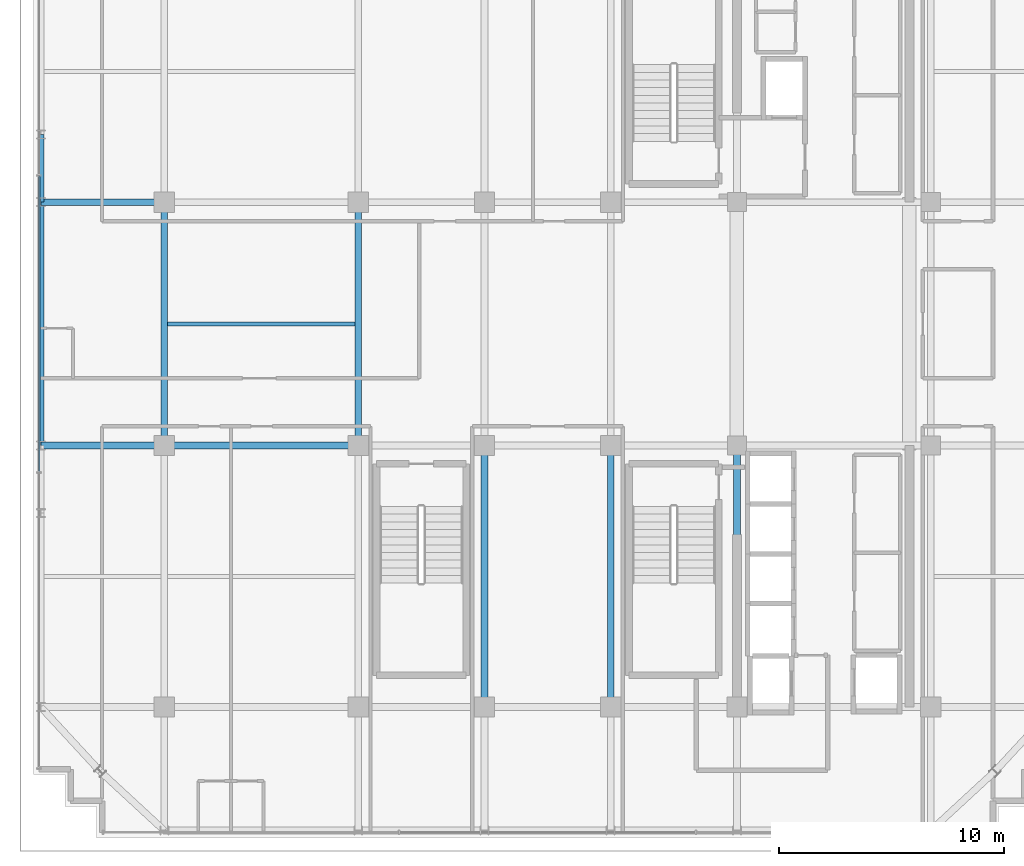
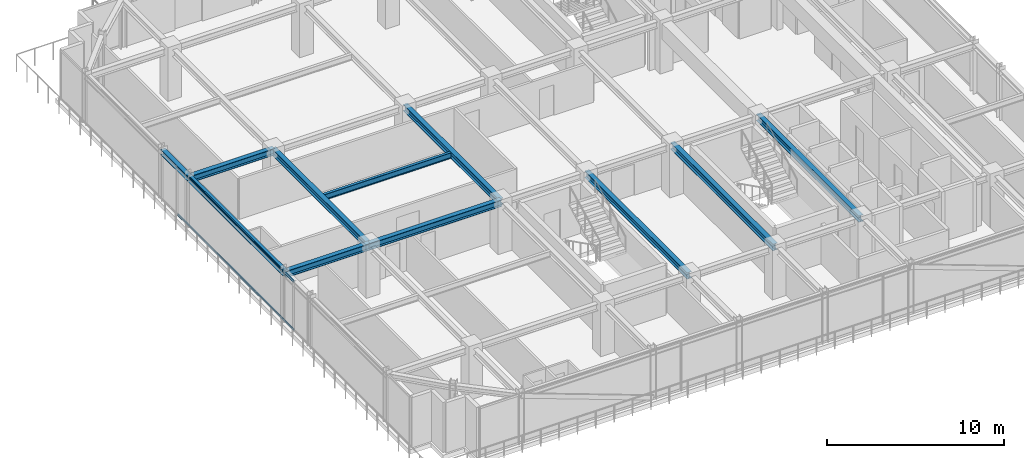
# One storey, part 9 of 32: 11 beams, 2 members, 1 element without a shape of its own.
"""IFC4 building model written with IfcOpenShell, lengths in metres."""

from ifc_helpers import new_model, si_unit, direction, frame, origin, origin_2d, place, context, subcontext, project, spatial, hollow_rectangle, i_section, extrude, source, transform, mapped, material, material_profile, profile_set, type_object, element, aggregate, save


model = new_model("IFC4")

# Units and contexts
model_context = context("Model", 3, precision=1e-05, world=origin(), true_north=direction((0.0, 1.0)))
body_context = subcontext(model_context, "Body", "Model", "MODEL_VIEW")
ifc_project = project(units=[si_unit("LENGTHUNIT", "METRE"), si_unit("AREAUNIT", "SQUARE_METRE"), si_unit("VOLUMEUNIT", "CUBIC_METRE"), si_unit("PLANEANGLEUNIT", "RADIAN"), si_unit("MASSUNIT", "GRAM", prefix="KILO")], contexts=[model_context])

# Site, building, storey
site_placement = place(None, origin())
site = spatial("IfcSite", under=ifc_project, at=site_placement, CompositionType="ELEMENT")
building_placement = place(site_placement, origin())
building = spatial("IfcBuilding", under=site, at=building_placement, Name="Nahalor Promenade Grand Hotel", CompositionType="ELEMENT")
storey_placement = place(building_placement, frame((0.0, 0.0, 266.300048828125)))
storey = spatial("IfcBuildingStorey", under=building, at=storey_placement, Name="L68", CompositionType="ELEMENT", Elevation=266.300048828125)

# Beams
ifc_material_1 = material(Name="Steel S355JR", Category="steel")
ifc_material_profile_1 = material_profile(ifc_material_1, i_section(OverallWidth=0.3, OverallDepth=0.45, WebThickness=0.014, FlangeThickness=0.026, at=origin_2d()), Name="HEB 450")
ifc_profile_set_1 = profile_set([ifc_material_profile_1], Name="Steel S355JR")
beam_type_1 = type_object("IfcBeamType", Name="Beam-Girder-HEB450", PredefinedType="BEAM", material=ifc_profile_set_1)
shared_shape_1 = source(origin(), body_context, "Body", "SweptSolid", [
    extrude(i_section(OverallWidth=0.3, OverallDepth=0.45, WebThickness=0.014, FlangeThickness=0.026, at=origin_2d()), origin(), (0.0, 0.0, 1.0), 8.60009765625),
])
beam_1_placement = place(storey_placement, frame((-17.0, -5.39990234375, 3.224853515625), z_axis=(1.0, 0.0, 0.0), x_axis=(0.0, 1.0, 0.0)))
element("IfcBeam", 1, at=beam_1_placement, inside=storey, type_object=beam_type_1, Name="BM-L68-GX-1-1", PredefinedType="BEAM", context=body_context, shape_type="MappedRepresentation", body=[
    mapped(shared_shape_1, transform((0.0, 0.0, 0.0), scale=1.0)),
])
shared_shape_2 = source(origin(), body_context, "Body", "SweptSolid", [
    extrude(i_section(OverallWidth=0.3, OverallDepth=0.45, WebThickness=0.014, FlangeThickness=0.026, at=origin_2d()), origin(), (0.0, 0.0, 1.0), 11.60009765625),
])
for number, where, z_axis, x_axis, name in (
    (2, (-2.800048828125, -17.0, 3.224853515625), (0.0, 1.0, 0.0), (-1.0, 0.0, 0.0), "BM-L68-GY-2-1"),
    (3, (2.800048828125, -17.0, 3.224853515625), (0.0, 1.0, 0.0), (-1.0, 0.0, 0.0), "BM-L68-GY-3-1"),
    (4, (8.39990234375, -17.0, 3.224853515625), (0.0, 1.0, 0.0), (-1.0, 0.0, 0.0), "BM-L68-GY-4-1"),
):
    element("IfcBeam", number, at=place(storey_placement, frame(where, z_axis=z_axis, x_axis=x_axis)), inside=storey, type_object=beam_type_1, Name=name, PredefinedType="BEAM", context=body_context, shape_type="MappedRepresentation", body=[
        mapped(shared_shape_2, transform((0.0, 0.0, 0.0), scale=1.0)),
    ])
shared_shape_3 = source(origin(), body_context, "Body", "SweptSolid", [
    extrude(i_section(OverallWidth=0.3, OverallDepth=0.45, WebThickness=0.014, FlangeThickness=0.026, at=origin_2d()), origin(), (0.0, 0.0, 1.0), 10.7998046875),
])
for number, where, z_axis, x_axis, name in (
    (5, (-17.0, -5.39990234375, 3.224853515625), (0.0, 1.0, 0.0), (-1.0, 0.0, 0.0), "BM-L68-GY-0-2"),
    (6, (-8.39990234375, -5.39990234375, 3.224853515625), (0.0, 1.0, 0.0), (-1.0, 0.0, 0.0), "BM-L68-GY-1-2"),
):
    element("IfcBeam", number, at=place(storey_placement, frame(where, z_axis=z_axis, x_axis=x_axis)), inside=storey, type_object=beam_type_1, Name=name, PredefinedType="BEAM", context=body_context, shape_type="MappedRepresentation", body=[
        mapped(shared_shape_3, transform((0.0, 0.0, 0.0), scale=1.0)),
    ])
ifc_material_profile_2 = material_profile(ifc_material_1, i_section(OverallWidth=0.18, OverallDepth=0.4, WebThickness=0.0086, FlangeThickness=0.0135, at=origin_2d()), Name="IPE 400")
ifc_profile_set_2 = profile_set([ifc_material_profile_2], Name="Steel S355JR")
beam_type_2 = type_object("IfcBeamType", Name="Beam-Joist-IPE400", PredefinedType="JOIST", material=ifc_profile_set_2)
shared_shape_4 = source(origin(), body_context, "Body", "SweptSolid", [
    extrude(i_section(OverallWidth=0.18, OverallDepth=0.4, WebThickness=0.0086, FlangeThickness=0.0135, at=origin_2d()), origin(), (0.0, 0.0, 1.0), 8.300048828125),
])
beam_2_placement = place(storey_placement, frame((-16.85009765625, 0.0, 3.25), z_axis=(1.0, 0.0, 0.0), x_axis=(0.0, 1.0, 0.0)))
element("IfcBeam", 7, at=beam_2_placement, inside=storey, type_object=beam_type_2, Name="BM-L68-JSC-0", PredefinedType="JOIST", context=body_context, shape_type="MappedRepresentation", body=[
    mapped(shared_shape_4, transform((0.0, 0.0, 0.0), scale=1.0)),
])
shared_shape_5 = source(origin(), body_context, "Body", "SweptSolid", [
    extrude(i_section(OverallWidth=0.3, OverallDepth=0.45, WebThickness=0.014, FlangeThickness=0.026, at=origin_2d()), origin(), (0.0, 0.0, 1.0), 5.47998046875),
])
for number, where, z_axis, x_axis, name in (
    (8, (-22.47998046875, -5.39990234375, 3.224853515625), (1.0, 0.0, 0.0), (0.0, 1.0, 0.0), "BM-L68-GX-1-0"),
    (9, (-22.47998046875, 5.39990234375, 3.224853515625), (1.0, 0.0, 0.0), (0.0, 1.0, 0.0), "BM-L68-GX-2-0"),
):
    element("IfcBeam", number, at=place(storey_placement, frame(where, z_axis=z_axis, x_axis=x_axis)), inside=storey, type_object=beam_type_1, Name=name, PredefinedType="BEAM", context=body_context, shape_type="MappedRepresentation", body=[
        mapped(shared_shape_5, transform((0.0, 0.0, 0.0), scale=1.0)),
    ])
ifc_material_profile_3 = material_profile(ifc_material_1, i_section(OverallWidth=0.3, OverallDepth=0.36, WebThickness=0.0125, FlangeThickness=0.0225, at=origin_2d()), Name="HEB 360")
ifc_profile_set_3 = profile_set([ifc_material_profile_3], Name="Steel S355JR")
beam_type_3 = type_object("IfcBeamType", Name="Beam-Spandrel-HEB360", PredefinedType="SPANDREL", material=ifc_profile_set_3)
shared_shape_6 = source(origin(), body_context, "Body", "SweptSolid", [
    extrude(i_section(OverallWidth=0.3, OverallDepth=0.36, WebThickness=0.0125, FlangeThickness=0.0225, at=origin_2d()), origin(), (0.0, 0.0, 1.0), 3.0),
])
beam_3_placement = place(storey_placement, frame((-22.47998046875, 5.39990234375, 3.27001953125), z_axis=(0.0, 1.0, 0.0), x_axis=(-1.0, 0.0, 0.0)))
element("IfcBeam", 10, at=beam_3_placement, inside=storey, type_object=beam_type_3, Name="BM-L68-SP-W-3", PredefinedType="SPANDREL", context=body_context, shape_type="MappedRepresentation", body=[
    mapped(shared_shape_6, transform((0.0, 0.0, 0.0), scale=1.0)),
])
shared_shape_7 = source(origin(), body_context, "Body", "SweptSolid", [
    extrude(i_section(OverallWidth=0.3, OverallDepth=0.36, WebThickness=0.0125, FlangeThickness=0.0225, at=origin_2d()), origin(), (0.0, 0.0, 1.0), 10.7998046875),
])
beam_4_placement = place(storey_placement, frame((-22.47998046875, -5.39990234375, 3.27001953125), z_axis=(0.0, 1.0, 0.0), x_axis=(-1.0, 0.0, 0.0)))
element("IfcBeam", 11, at=beam_4_placement, inside=storey, type_object=beam_type_3, Name="BM-L68-SP-W-2", PredefinedType="SPANDREL", context=body_context, shape_type="MappedRepresentation", body=[
    mapped(shared_shape_7, transform((0.0, 0.0, 0.0), scale=1.0)),
])

# Curtain wall, members
ifc_material_2 = material(Name="Anodised Bronze Aluminium EN AW-6063 T6", Category="aluminium")
curtain_wall_type = type_object("IfcCurtainWallType", Name="CW2 Typical Hotel Flush Bronze Unitised Curtain Wall", PredefinedType="USERDEFINED", material=ifc_material_2)
curtain_wall_placement = place(storey_placement, origin())
curtain_wall = element("IfcCurtainWall", 12, at=curtain_wall_placement, inside=storey, type_object=curtain_wall_type, Name="L68 Curtain Wall CW-L68-W-1", ObjectType="UNITISED_CURTAIN_WALL", PredefinedType="USERDEFINED")
ifc_material_profile_4 = material_profile(ifc_material_2, hollow_rectangle(XDim=0.065, YDim=0.13, WallThickness=0.004, at=origin_2d()), Name="CWT 65x130x4")
ifc_profile_set_4 = profile_set([ifc_material_profile_4], Name="Anodised Bronze Aluminium EN AW-6063 T6")
member_type = type_object("IfcMemberType", Name="CWT2 Typical Bronze Transom 65x130", PredefinedType="USERDEFINED", material=ifc_profile_set_4)
shared_shape_8 = source(origin(), body_context, "Body", "SweptSolid", [
    extrude(hollow_rectangle(XDim=0.065, YDim=0.13, WallThickness=0.004, at=origin_2d()), origin(), (0.0, 0.0, 1.0), 13.1083984375),
])
member_1_placement = place(storey_placement, frame((-22.56005859375, -6.55419921875, 0.06494140625), z_axis=(0.0, 1.0, 0.0), x_axis=(-1.0, 0.0, 0.0)))
member_1 = element("IfcMember", 13, at=member_1_placement, type_object=member_type, Name="CW-L68-W-1 Transom 1-0", ObjectType="TRANSOM", PredefinedType="USERDEFINED", context=body_context, shape_type="MappedRepresentation", body=[
    mapped(shared_shape_8, transform((0.0, 0.0, 0.0), scale=1.0)),
])
member_2_placement = place(storey_placement, frame((-22.56005859375, -6.55419921875, 3.385009765625), z_axis=(0.0, 1.0, 0.0), x_axis=(-1.0, 0.0, 0.0)))
member_2 = element("IfcMember", 14, at=member_2_placement, type_object=member_type, Name="CW-L68-W-1 Transom 1-1", ObjectType="TRANSOM", PredefinedType="USERDEFINED", context=body_context, shape_type="MappedRepresentation", body=[
    mapped(shared_shape_8, transform((0.0, 0.0, 0.0), scale=1.0)),
])
aggregate(curtain_wall, [member_1, member_2])

save(model, "model.ifc")
